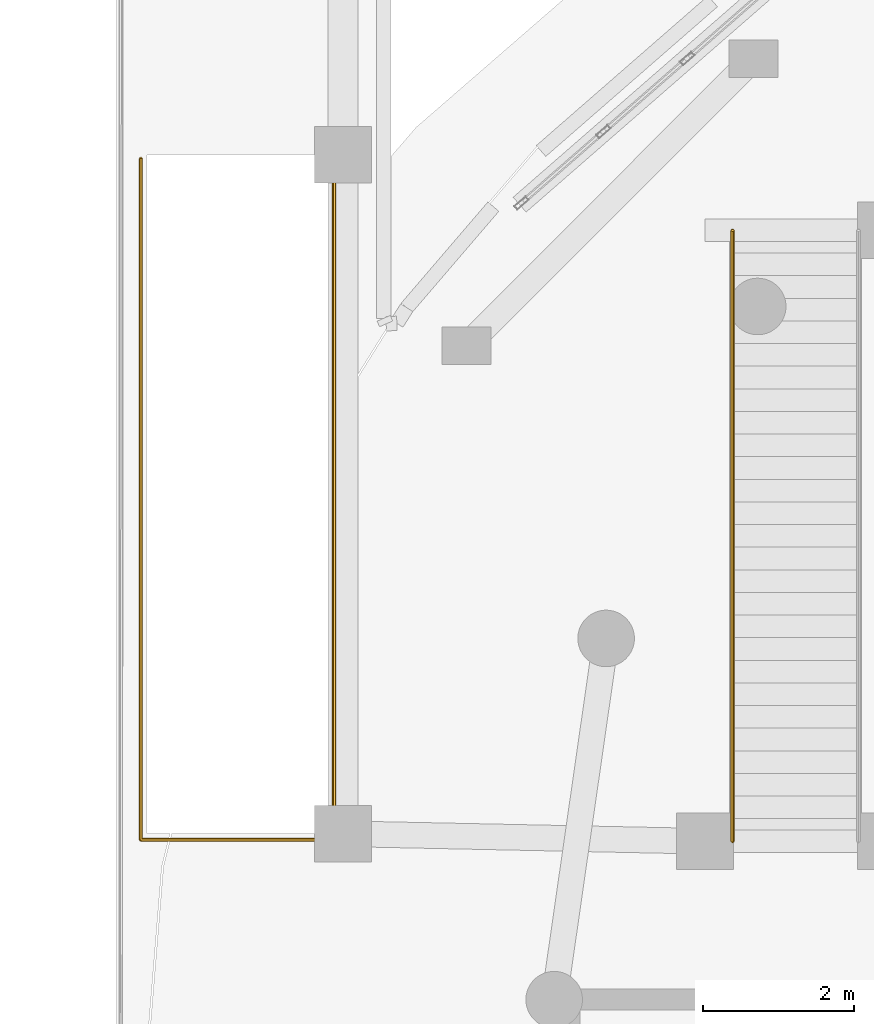
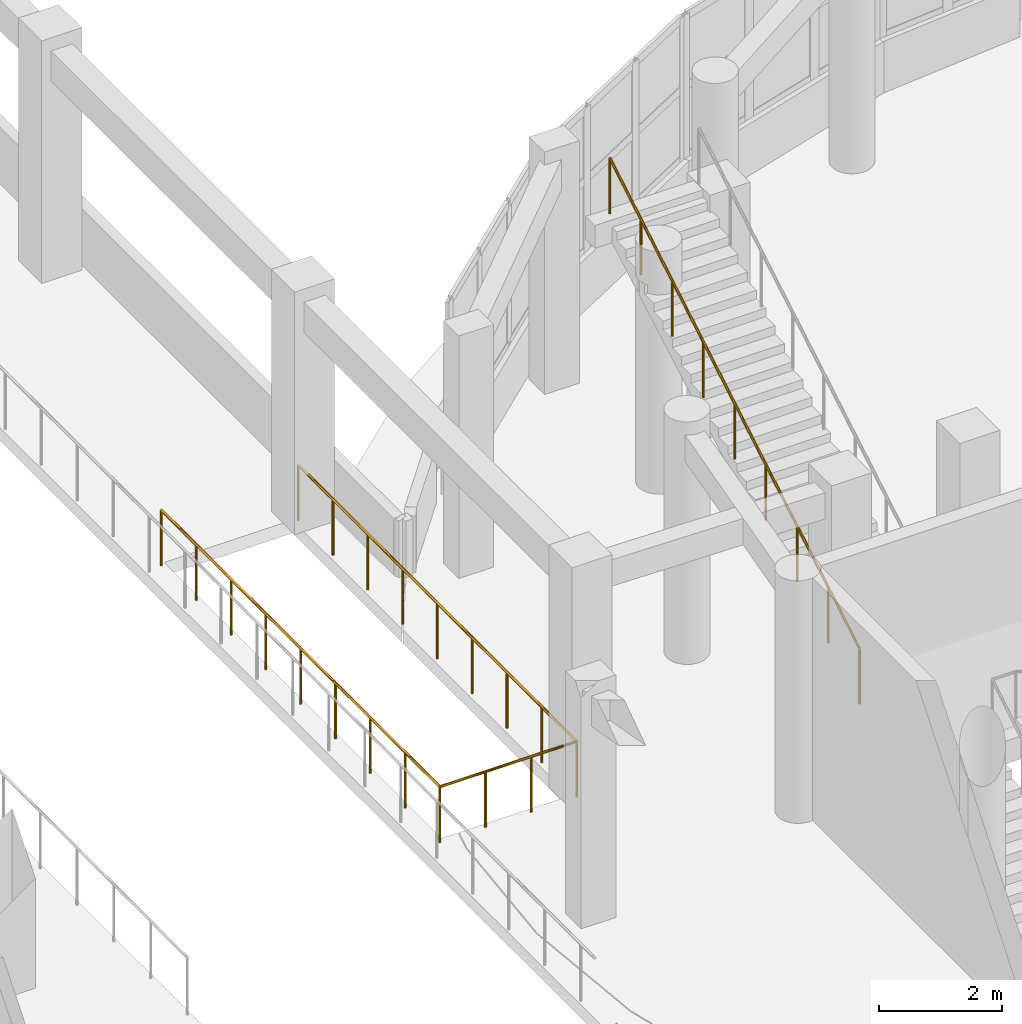
# One storey, part 89 of 98: 2 railings.
"""IFC4 building model written with IfcOpenShell, lengths in metres."""

from ifc_helpers import new_model, si_unit, direction, frame, origin, origin_2d, place, context, subcontext, project, spatial, circle, extrude, material, type_object, element, save


model = new_model("IFC4")

# Units and contexts
model_context = context("Model", 3, precision=1e-05, world=origin(), true_north=direction((0.0, 1.0)))
body_context = subcontext(model_context, "Body", "Model", "MODEL_VIEW")
ifc_project = project(units=[si_unit("LENGTHUNIT", "METRE"), si_unit("AREAUNIT", "SQUARE_METRE"), si_unit("VOLUMEUNIT", "CUBIC_METRE"), si_unit("PLANEANGLEUNIT", "RADIAN"), si_unit("MASSUNIT", "GRAM", prefix="KILO")], contexts=[model_context])

# Site, building, storey
site_placement = place(None, origin())
site = spatial("IfcSite", under=ifc_project, at=site_placement, CompositionType="ELEMENT")
building_placement = place(site_placement, origin())
building = spatial("IfcBuilding", under=site, at=building_placement, Name="Pelvatis Terrace Science Centre", CompositionType="ELEMENT")
storey_placement = place(building_placement, frame((0.0, 0.0, 5.39990234375)))
storey = spatial("IfcBuildingStorey", under=building, at=storey_placement, Name="L01", CompositionType="ELEMENT", Elevation=5.39990234375)

# Railings
ifc_material = material(Name="Brushed architectural bronze tubular railing", Category="steel")
railing_type = type_object("IfcRailingType", Name="RLG-GRD-1120", PredefinedType="GUARDRAIL", material=ifc_material)
railing_1_placement = place(storey_placement, frame((55.52001953125, 65.75, 0.0)))
element("IfcRailing", 1, at=railing_1_placement, inside=storey, type_object=railing_type, Name="Stair FST-02 upper well guardrail", PredefinedType="GUARDRAIL", context=body_context, shape_type="SweptSolid", body=[
    extrude(circle(Radius=0.02392578125, at=origin_2d()), frame((0.0, 0.0, 1.09619140625), z_axis=(0.0, -1.0, 0.0), x_axis=(1.0, 0.0, 0.0)), (0.0, 0.0, 1.0), 9.030029296875),
    extrude(circle(Radius=0.02392578125, at=origin_2d()), frame((0.0, -9.030029296875, 1.09619140625), z_axis=(1.0, 0.0, 0.0), x_axis=(0.0, 1.0, 0.0)), (0.0, 0.0, 1.0), 2.56005859375),
    extrude(circle(Radius=0.02392578125, at=origin_2d()), frame((2.56005859375, -9.030029296875, 1.09619140625), z_axis=(0.0, 1.0, 0.0), x_axis=(-1.0, 0.0, 0.0)), (0.0, 0.0, 1.0), 9.030029296875),
    extrude(circle(Radius=0.02099609375, at=origin_2d()), origin(), (0.0, 0.0, 1.0), 1.072021484375),
    extrude(circle(Radius=0.02099609375, at=origin_2d()), frame((0.0, -1.128662109375, 0.0)), (0.0, 0.0, 1.0), 1.072021484375),
    extrude(circle(Radius=0.02099609375, at=origin_2d()), frame((0.0, -2.257568359375, 0.0)), (0.0, 0.0, 1.0), 1.072021484375),
    extrude(circle(Radius=0.02099609375, at=origin_2d()), frame((0.0, -3.38623046875, 0.0)), (0.0, 0.0, 1.0), 1.072021484375),
    extrude(circle(Radius=0.02099609375, at=origin_2d()), frame((0.0, -4.51513671875, 0.0)), (0.0, 0.0, 1.0), 1.072021484375),
    extrude(circle(Radius=0.02099609375, at=origin_2d()), frame((0.0, -5.643798828125, 0.0)), (0.0, 0.0, 1.0), 1.072021484375),
    extrude(circle(Radius=0.02099609375, at=origin_2d()), frame((0.0, -6.7724609375, 0.0)), (0.0, 0.0, 1.0), 1.072021484375),
    extrude(circle(Radius=0.02099609375, at=origin_2d()), frame((0.0, -7.9013671875, 0.0)), (0.0, 0.0, 1.0), 1.072021484375),
    extrude(circle(Radius=0.02099609375, at=origin_2d()), frame((0.0, -9.030029296875, 0.0)), (0.0, 0.0, 1.0), 1.072021484375),
    extrude(circle(Radius=0.02099609375, at=origin_2d()), frame((0.853271484375, -9.030029296875, 0.0)), (0.0, 0.0, 1.0), 1.072021484375),
    extrude(circle(Radius=0.02099609375, at=origin_2d()), frame((1.706787109375, -9.030029296875, 0.0)), (0.0, 0.0, 1.0), 1.072021484375),
    extrude(circle(Radius=0.02099609375, at=origin_2d()), frame((2.56005859375, -9.030029296875, 0.0)), (0.0, 0.0, 1.0), 1.072021484375),
    extrude(circle(Radius=0.02099609375, at=origin_2d()), frame((2.56005859375, -7.9013671875, 0.0)), (0.0, 0.0, 1.0), 1.072021484375),
    extrude(circle(Radius=0.02099609375, at=origin_2d()), frame((2.56005859375, -6.7724609375, 0.0)), (0.0, 0.0, 1.0), 1.072021484375),
    extrude(circle(Radius=0.02099609375, at=origin_2d()), frame((2.56005859375, -5.643798828125, 0.0)), (0.0, 0.0, 1.0), 1.072021484375),
    extrude(circle(Radius=0.02099609375, at=origin_2d()), frame((2.56005859375, -4.51513671875, 0.0)), (0.0, 0.0, 1.0), 1.072021484375),
    extrude(circle(Radius=0.02099609375, at=origin_2d()), frame((2.56005859375, -3.38623046875, 0.0)), (0.0, 0.0, 1.0), 1.072021484375),
    extrude(circle(Radius=0.02099609375, at=origin_2d()), frame((2.56005859375, -2.257568359375, 0.0)), (0.0, 0.0, 1.0), 1.072021484375),
    extrude(circle(Radius=0.02099609375, at=origin_2d()), frame((2.56005859375, -1.128662109375, 0.0)), (0.0, 0.0, 1.0), 1.072021484375),
    extrude(circle(Radius=0.02099609375, at=origin_2d()), frame((2.56005859375, 0.0, 0.0)), (0.0, 0.0, 1.0), 1.072021484375),
])
railing_2_placement = place(storey_placement, frame((63.364990234375, 56.699951171875, 0.0)))
element("IfcRailing", 2, at=railing_2_placement, inside=storey, type_object=railing_type, Name="Stair FST-03 flight guard L", PredefinedType="GUARDRAIL", context=body_context, shape_type="SweptSolid", body=[
    extrude(circle(Radius=0.02392578125, at=origin_2d()), frame((0.0, 0.0, 1.09619140625), z_axis=(0.0, 0.860291954825, 0.509801679541), x_axis=(-1.0, 0.0, 0.0)), (0.0, 0.0, 1.0), 9.41552734375),
    extrude(circle(Radius=0.02099609375, at=origin_2d()), origin(), (0.0, 0.0, 1.0), 1.072021484375),
    extrude(circle(Radius=0.02099609375, at=origin_2d()), frame((0.0, 1.012451171875, 0.60009765625)), (0.0, 0.0, 1.0), 1.072021484375),
    extrude(circle(Radius=0.02099609375, at=origin_2d()), frame((0.0, 2.02490234375, 1.199951171875)), (0.0, 0.0, 1.0), 1.072021484375),
    extrude(circle(Radius=0.02099609375, at=origin_2d()), frame((0.0, 3.03759765625, 1.800048828125)), (0.0, 0.0, 1.0), 1.072021484375),
    extrude(circle(Radius=0.02099609375, at=origin_2d()), frame((0.0, 4.050048828125, 2.39990234375)), (0.0, 0.0, 1.0), 1.072021484375),
    extrude(circle(Radius=0.02099609375, at=origin_2d()), frame((0.0, 5.0625, 3.0)), (0.0, 0.0, 1.0), 1.072021484375),
    extrude(circle(Radius=0.02099609375, at=origin_2d()), frame((0.0, 6.0751953125, 3.60009765625)), (0.0, 0.0, 1.0), 1.072021484375),
    extrude(circle(Radius=0.02099609375, at=origin_2d()), frame((0.0, 7.087646484375, 4.199951171875)), (0.0, 0.0, 1.0), 1.072021484375),
    extrude(circle(Radius=0.02099609375, at=origin_2d()), frame((0.0, 8.10009765625, 4.800048828125)), (0.0, 0.0, 1.0), 1.072021484375),
])

save(model, "model.ifc")
